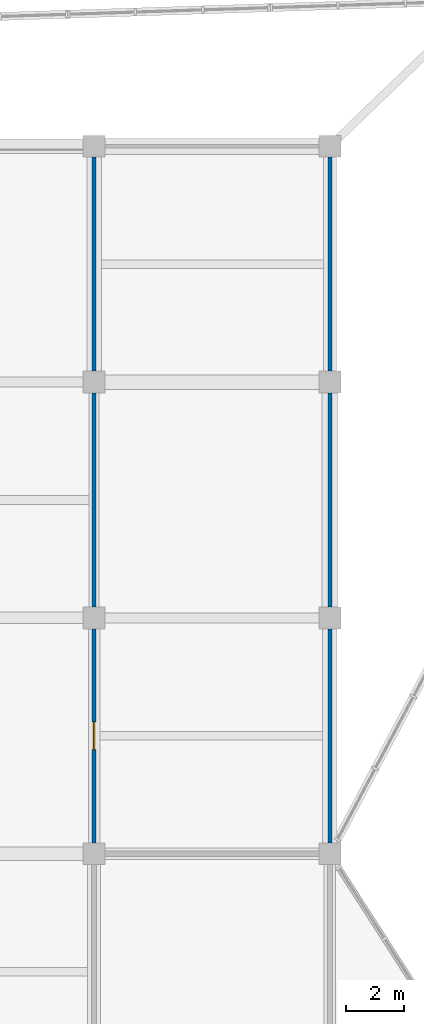
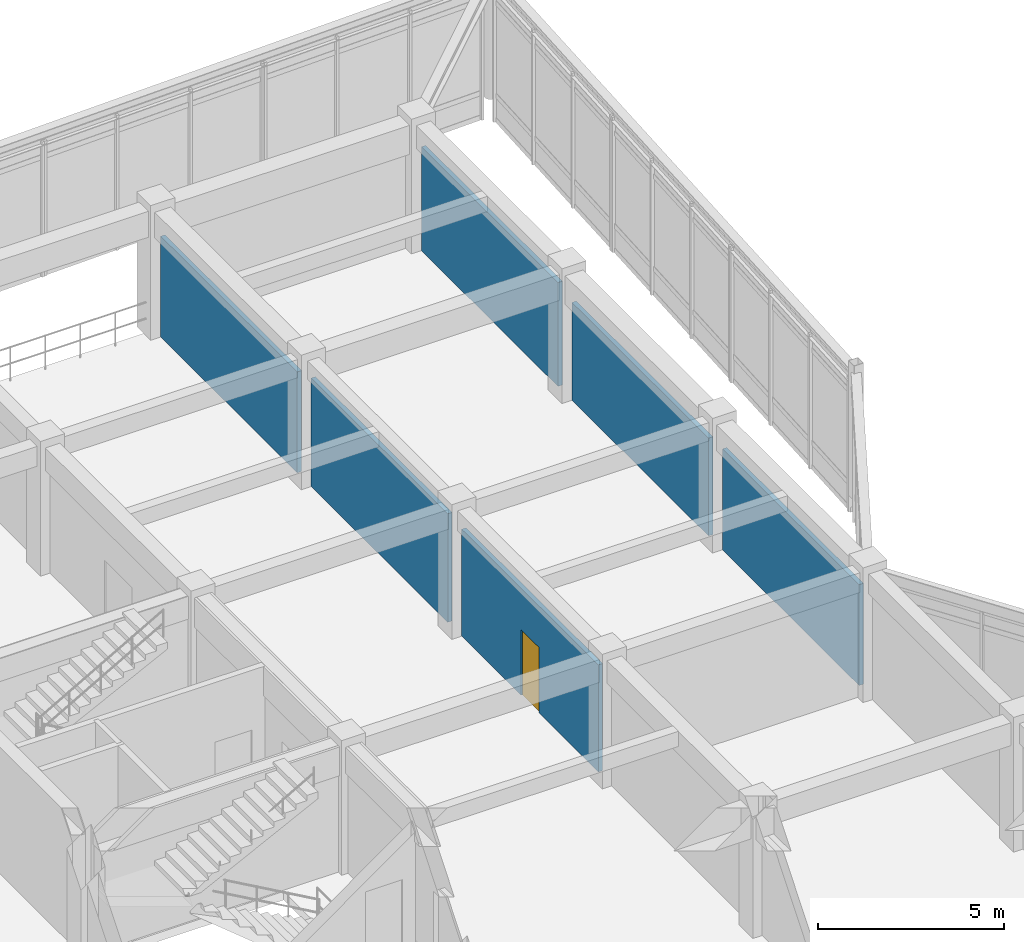
# One storey, part 54 of 70: 6 walls, 1 door, 1 opening.
"""IFC4 building model written with IfcOpenShell, lengths in metres."""

from ifc_helpers import new_model, si_unit, direction, frame, frame_2d, origin, place, context, subcontext, project, spatial, rectangle, extrude, material, layer, layer_set, type_object, element, fill, save


model = new_model("IFC4")

# Units and contexts
model_context = context("Model", 3, precision=1e-05, world=origin(), true_north=direction((0.0, 1.0)))
body_context = subcontext(model_context, "Body", "Model", "MODEL_VIEW")
ifc_project = project(units=[si_unit("LENGTHUNIT", "METRE"), si_unit("AREAUNIT", "SQUARE_METRE"), si_unit("VOLUMEUNIT", "CUBIC_METRE"), si_unit("PLANEANGLEUNIT", "RADIAN"), si_unit("MASSUNIT", "GRAM", prefix="KILO")], contexts=[model_context])

# Site, building, storey
site_placement = place(None, origin())
site = spatial("IfcSite", under=ifc_project, at=site_placement, CompositionType="ELEMENT")
building_placement = place(site_placement, origin())
building = spatial("IfcBuilding", under=site, at=building_placement, Name="Vaudrelin Polytechnic", CompositionType="ELEMENT")
storey_placement = place(building_placement, frame((0.0, 0.0, 14.110107421875)))
storey = spatial("IfcBuildingStorey", under=building, at=storey_placement, Name="L03", CompositionType="ELEMENT", Elevation=14.110107421875)

# Wall, opening, door
ifc_material_1 = material(Name="Acoustic steel-stud office & study room partition", Category="steel")
ifc_layer = layer(ifc_material_1, 0.135009765625)
ifc_layer_set = layer_set([ifc_layer], Name="Acoustic steel-stud office & study room partition")
wall_type = type_object("IfcWallType", Name="WAL-PW-OFF135", PredefinedType="PARTITIONING", material=ifc_layer_set)
wall_1_placement = place(storey_placement, frame((162.0, 97.572998046875, 0.0), z_axis=(0.0, 0.0, 1.0), x_axis=(0.0, 1.0, 0.0)))
wall_1 = element("IfcWall", 1, at=wall_1_placement, inside=storey, type_object=wall_type, Name="Partition L03-018 W", PredefinedType="PARTITIONING", context=body_context, shape_type="SweptSolid", body=[
    extrude(rectangle(XDim=7.35400390625, YDim=0.135009765625, at=frame_2d((3.677001953125, 0.0))), origin(), (0.0, 0.0, 1.0), 3.511962890625),
])
opening_placement = place(wall_1_placement, frame((3.201904296875, 0.0, 0.0)))
opening = element("IfcOpeningElement", 2, at=opening_placement, cuts=wall_1, Name="Opening D-L03-510", PredefinedType="OPENING", context=body_context, shape_type="SweptSolid", body=[
    extrude(rectangle(XDim=0.949951171875, YDim=2.14990234375, at=frame_2d((0.47509765625, 1.074951171875))), frame((0.0, 0.07763671875, 0.0), z_axis=(0.0, -1.0, 0.0), x_axis=(1.0, 0.0, 0.0)), (0.0, 0.0, 1.0), 0.155029296875),
])
ifc_material_2 = material(Name="Solid-core birch veneer acoustic leaf", Category="wood")
door_type = type_object("IfcDoorType", Name="DOR-ID-OFF1", OperationType="NOTDEFINED", PredefinedType="DOOR", material=ifc_material_2)
door_placement = place(opening_placement, origin())
door = element("IfcDoor", 3, at=door_placement, inside=storey, type_object=door_type, Name="Academic Faculty Offices Level 3 door L03-018", OperationType="SINGLE_SWING_RIGHT", OverallHeight=2.14990234375, OverallWidth=0.949951171875, PredefinedType="DOOR", context=body_context, shape_type="SweptSolid", body=[
    extrude(rectangle(XDim=0.949951171875, YDim=2.14990234375, at=frame_2d((0.47509765625, 1.074951171875))), frame((0.0, 0.02490234375, 0.0), z_axis=(0.0, -1.0, 0.0), x_axis=(1.0, 0.0, 0.0)), (0.0, 0.0, 1.0), 0.050048828125),
])
fill(opening, door)

# Walls
wall_2_placement = place(storey_placement, frame((162.0, 105.673095703125, 0.0), z_axis=(0.0, 0.0, 1.0), x_axis=(0.0, 1.0, 0.0)))
element("IfcWall", 4, at=wall_2_placement, inside=storey, type_object=wall_type, Name="Partition L03-018 W", PredefinedType="PARTITIONING", context=body_context, shape_type="SweptSolid", body=[
    extrude(rectangle(XDim=7.35400390625, YDim=0.135009765625, at=frame_2d((3.677001953125, 0.0))), origin(), (0.0, 0.0, 1.0), 3.56201171875),
])
for number, where, z_axis, x_axis, name in (
    (5, (162.0, 113.77294921875, 0.0), (0.0, 0.0, 1.0), (0.0, 1.0, 0.0), "Partition L03-018 W"),
    (6, (170.10009765625, 97.572998046875, 0.0), (0.0, 0.0, 1.0), (0.0, 1.0, 0.0), "Partition L03-018 E"),
):
    element("IfcWall", number, at=place(storey_placement, frame(where, z_axis=z_axis, x_axis=x_axis)), inside=storey, type_object=wall_type, Name=name, PredefinedType="PARTITIONING", context=body_context, shape_type="SweptSolid", body=[
        extrude(rectangle(XDim=7.35400390625, YDim=0.135009765625, at=frame_2d((3.677001953125, 0.0))), origin(), (0.0, 0.0, 1.0), 3.31201171875),
    ])
wall_3_placement = place(storey_placement, frame((170.10009765625, 105.673095703125, 0.0), z_axis=(0.0, 0.0, 1.0), x_axis=(0.0, 1.0, 0.0)))
element("IfcWall", 7, at=wall_3_placement, inside=storey, type_object=wall_type, Name="Partition L03-018 E", PredefinedType="PARTITIONING", context=body_context, shape_type="SweptSolid", body=[
    extrude(rectangle(XDim=7.35400390625, YDim=0.135009765625, at=frame_2d((3.677001953125, 0.0))), origin(), (0.0, 0.0, 1.0), 3.2119140625),
])
wall_4_placement = place(storey_placement, frame((170.10009765625, 113.77294921875, 0.0), z_axis=(0.0, 0.0, 1.0), x_axis=(0.0, 1.0, 0.0)))
element("IfcWall", 8, at=wall_4_placement, inside=storey, type_object=wall_type, Name="Partition L03-018 E", PredefinedType="PARTITIONING", context=body_context, shape_type="SweptSolid", body=[
    extrude(rectangle(XDim=7.35400390625, YDim=0.135009765625, at=frame_2d((3.677001953125, 0.0))), origin(), (0.0, 0.0, 1.0), 3.411865234375),
])

save(model, "model.ifc")
